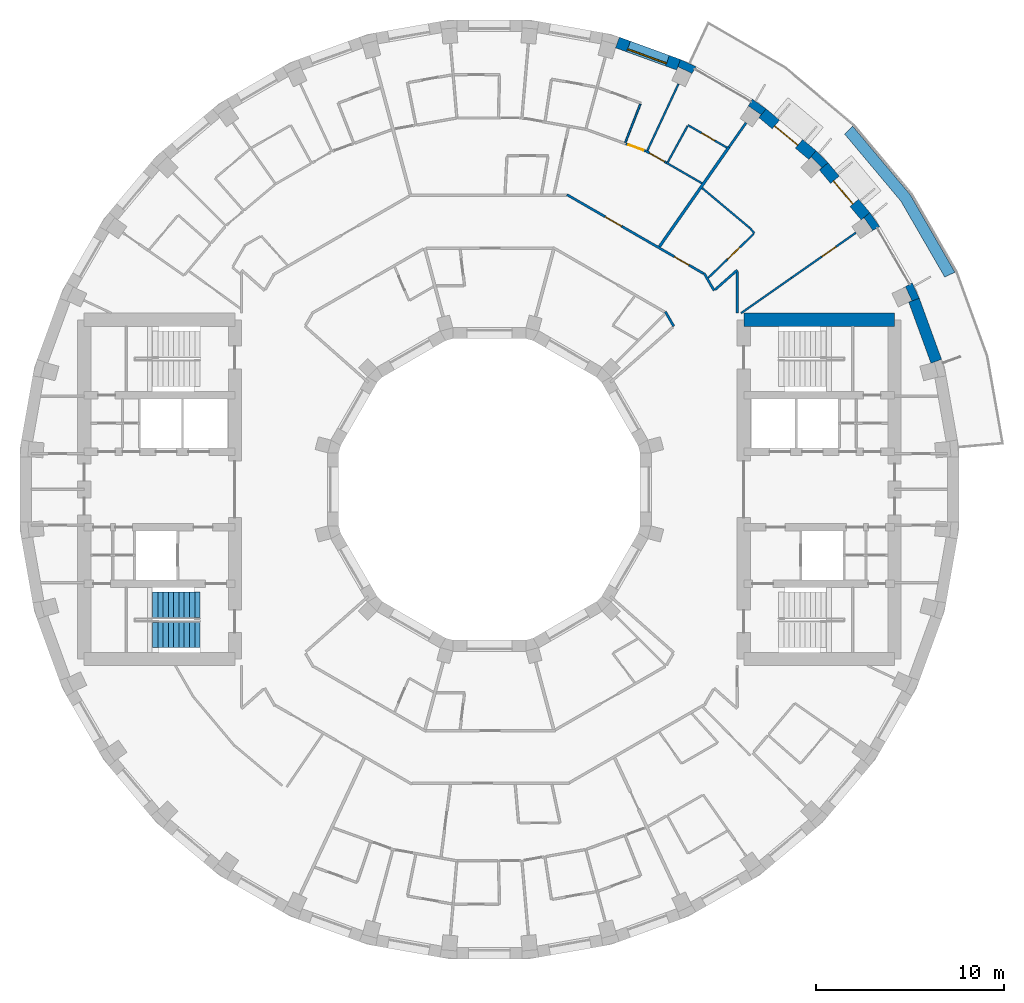
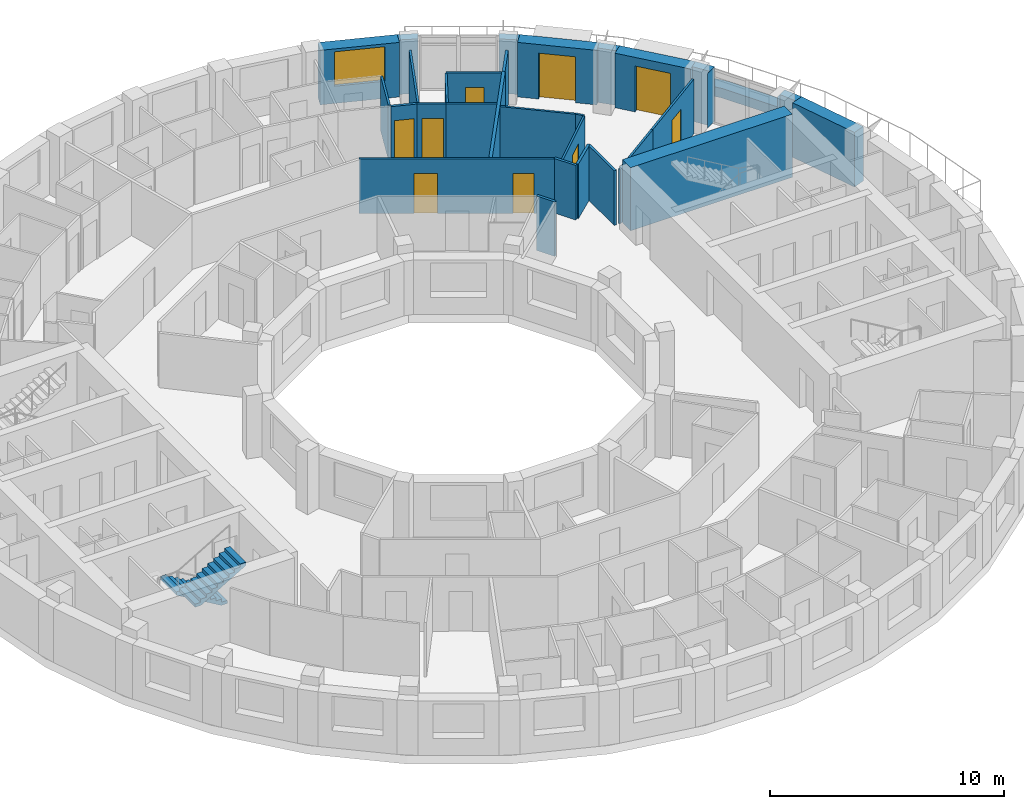
# One storey, part 13 of 15: 30 walls, 9 doors, 2 stair flights, 1 window, 10 openings, 1 element without a shape of its own.
"""IFC4 building model written with IfcOpenShell, lengths in metres."""

from ifc_helpers import new_model, si_unit, direction, frame, frame_2d, origin, place, context, subcontext, project, spatial, polyline, rectangle, outline, extrude, material, layer, layer_set, type_object, element, fill, aggregate, save


model = new_model("IFC4")

# Units and contexts
model_context = context("Model", 3, precision=1e-05, world=origin(), true_north=direction((0.0, 1.0)))
body_context = subcontext(model_context, "Body", "Model", "MODEL_VIEW")
ifc_project = project(units=[si_unit("LENGTHUNIT", "METRE"), si_unit("AREAUNIT", "SQUARE_METRE"), si_unit("VOLUMEUNIT", "CUBIC_METRE"), si_unit("PLANEANGLEUNIT", "RADIAN"), si_unit("MASSUNIT", "GRAM", prefix="KILO")], contexts=[model_context])

# Site, building, storey
site_placement = place(None, origin())
site = spatial("IfcSite", under=ifc_project, at=site_placement, CompositionType="ELEMENT")
building_placement = place(site_placement, origin())
building = spatial("IfcBuilding", under=site, at=building_placement, Name="Saqina Gate Tower", CompositionType="ELEMENT")
storey_placement = place(building_placement, frame((0.0, 0.0, 193.800048828125)))
storey = spatial("IfcBuildingStorey", under=building, at=storey_placement, Name="L55", CompositionType="ELEMENT", Elevation=193.800048828125)

# Walls
ifc_material_1 = material(Name="Brick masonry (buff)", Category="masonry")
wall_type_1 = type_object("IfcWallType", Name="BRICK PIER COPING BUFF", PredefinedType="SOLIDWALL", material=ifc_material_1)
wall_1_placement = place(storey_placement, origin())
element("IfcWall", 1, at=wall_1_placement, inside=storey, type_object=wall_type_1, Name="Pier cap L55 column 3", PredefinedType="SOLIDWALL", context=body_context, shape_type="SweptSolid", body=[
    extrude(outline(polyline([(22.4306640625, 10.958740234375), (21.9111328125, 10.65869140625), (22.080810546875, 10.73779296875), (22.4189453125, 10.0126953125), (22.249267578125, 9.93359375), (22.81298828125, 10.138916015625), (22.4306640625, 10.958740234375)])), origin(), (0.0, 0.0, 1.0), 2.849853515625),
])
wall_2_placement = place(storey_placement, origin())
element("IfcWall", 2, at=wall_2_placement, inside=storey, type_object=wall_type_1, Name="Pier cap L55 column 4", PredefinedType="SOLIDWALL", context=body_context, shape_type="SweptSolid", body=[
    extrude(outline(polyline([(20.705810546875, 13.9462890625), (20.18701171875, 14.687255859375), (19.727294921875, 14.301513671875), (19.880859375, 14.408935546875), (20.339599609375, 13.753662109375), (20.186279296875, 13.646240234375), (20.705810546875, 13.9462890625)])), origin(), (0.0, 0.0, 1.0), 2.849853515625),
])
wall_3_placement = place(storey_placement, origin())
element("IfcWall", 3, at=wall_3_placement, inside=storey, type_object=wall_type_1, Name="Pier cap L55 column 5", PredefinedType="SOLIDWALL", context=body_context, shape_type="SweptSolid", body=[
    extrude(outline(polyline([(17.329833984375, 17.969482421875), (16.944091796875, 17.510009765625), (17.07666015625, 17.642333984375), (17.642333984375, 17.07666015625), (17.510009765625, 16.944091796875), (17.969482421875, 17.329833984375), (17.329833984375, 17.969482421875)])), origin(), (0.0, 0.0, 1.0), 2.849853515625),
])
wall_4_placement = place(storey_placement, origin())
element("IfcWall", 4, at=wall_4_placement, inside=storey, type_object=wall_type_1, Name="Pier cap L55 column 6", PredefinedType="SOLIDWALL", context=body_context, shape_type="SweptSolid", body=[
    extrude(outline(polyline([(14.687255859375, 20.18701171875), (13.9462890625, 20.705810546875), (13.646240234375, 20.186279296875), (13.753662109375, 20.339599609375), (14.408935546875, 19.880859375), (14.301513671875, 19.727294921875), (14.687255859375, 20.18701171875)])), origin(), (0.0, 0.0, 1.0), 2.849853515625),
])
wall_5_placement = place(storey_placement, origin())
element("IfcWall", 5, at=wall_5_placement, inside=storey, type_object=wall_type_1, Name="Pier cap L55 column 7", PredefinedType="SOLIDWALL", context=body_context, shape_type="SweptSolid", body=[
    extrude(outline(polyline([(10.138916015625, 22.81298828125), (9.93359375, 22.249267578125), (10.0126953125, 22.4189453125), (10.73779296875, 22.080810546875), (10.65869140625, 21.9111328125), (10.958740234375, 22.4306640625), (10.138916015625, 22.81298828125)])), origin(), (0.0, 0.0, 1.0), 2.849853515625),
])

# Wall, opening, door
ifc_material_2 = material(Name="Brick masonry (buff)", Category="masonry")
ifc_layer_1 = layer(ifc_material_2, 0.60009765625)
ifc_layer_set_1 = layer_set([ifc_layer_1], Name="FW-BRICK-BUFF")
wall_type_2 = type_object("IfcWallType", Name="FW-BRICK-BUFF", PredefinedType="SOLIDWALL", material=ifc_layer_set_1)
wall_6_placement = place(storey_placement, frame((19.95703125, 14.494384765625, 0.0), z_axis=(0.0, 0.0, 1.0), x_axis=(-0.642770398358, 0.766058884809, 0.0)))
wall_6 = element("IfcWall", 6, at=wall_6_placement, inside=storey, type_object=wall_type_2, Name="Facade wall L55 facet 4", PredefinedType="SOLIDWALL", context=body_context, shape_type="SweptSolid", body=[
    extrude(rectangle(XDim=3.449462890625, YDim=0.60009765625, at=frame_2d((1.724609375, 0.0))), origin(), (0.0, 0.0, 1.0), 2.849853515625),
])
opening_1_placement = place(wall_6_placement, frame((0.9248046875, 0.0, 0.0)))
opening_1 = element("IfcOpeningElement", 7, at=opening_1_placement, cuts=wall_6, Name="Opening G16-D80", PredefinedType="OPENING", context=body_context, shape_type="SweptSolid", body=[
    extrude(rectangle(XDim=1.60009765625, YDim=2.39990234375, at=frame_2d((0.800048828125, 1.199951171875))), frame((0.0, 0.31201171875, 0.0), z_axis=(0.0, -1.0, 0.0), x_axis=(1.0, 0.0, 0.0)), (0.0, 0.0, 1.0), 0.6240234375),
])
ifc_material_3 = material(Name="Aluminium glazing", Category="aluminium")
door_type_1 = type_object("IfcDoorType", Name="GD-C", OperationType="DOUBLE_DOOR_SINGLE_SWING", PredefinedType="DOOR", material=ifc_material_3)
door_1_placement = place(opening_1_placement, frame((1.60009765625, 0.0, 0.0), z_axis=(0.0, 0.0, 1.0), x_axis=(-1.0, 0.0, 0.0)))
door_1 = element("IfcDoor", 8, at=door_1_placement, inside=storey, type_object=door_type_1, Name="Terrace door L55 facet 4", OperationType="DOUBLE_DOOR_SINGLE_SWING", OverallHeight=2.39990234375, OverallWidth=1.60009765625, PredefinedType="DOOR", context=body_context, shape_type="SweptSolid", body=[
    extrude(rectangle(XDim=1.60009765625, YDim=2.39990234375, at=frame_2d((0.800048828125, 1.199951171875))), frame((0.0, -0.0751953125, 0.0), z_axis=(0.0, -1.0, 0.0), x_axis=(1.0, 0.0, 0.0)), (0.0, 0.0, 1.0), 0.050048828125),
])
fill(opening_1, door_1)

wall_7_placement = place(storey_placement, frame((17.136962890625, 17.73974609375, 0.0), z_axis=(0.0, 0.0, 1.0), x_axis=(-0.766058884809, 0.642770398358, 0.0)))
wall_7 = element("IfcWall", 9, at=wall_7_placement, inside=storey, type_object=wall_type_2, Name="Facade wall L55 facet 5", PredefinedType="SOLIDWALL", context=body_context, shape_type="SweptSolid", body=[
    extrude(rectangle(XDim=3.449462890625, YDim=0.60009765625, at=frame_2d((1.724609375, 0.0))), origin(), (0.0, 0.0, 1.0), 2.849853515625),
])
opening_2_placement = place(wall_7_placement, frame((0.9248046875, 0.0, 0.0)))
opening_2 = element("IfcOpeningElement", 10, at=opening_2_placement, cuts=wall_7, Name="Opening G16-D81", PredefinedType="OPENING", context=body_context, shape_type="SweptSolid", body=[
    extrude(rectangle(XDim=1.60009765625, YDim=2.39990234375, at=frame_2d((0.800048828125, 1.199951171875))), frame((0.0, 0.31201171875, 0.0), z_axis=(0.0, -1.0, 0.0), x_axis=(1.0, 0.0, 0.0)), (0.0, 0.0, 1.0), 0.6240234375),
])
door_2_placement = place(opening_2_placement, frame((1.60009765625, 0.0, 0.0), z_axis=(0.0, 0.0, 1.0), x_axis=(-1.0, 0.0, 0.0)))
door_2 = element("IfcDoor", 11, at=door_2_placement, inside=storey, type_object=door_type_1, Name="Terrace door L55 facet 5", OperationType="DOUBLE_DOOR_SINGLE_SWING", OverallHeight=2.39990234375, OverallWidth=1.60009765625, PredefinedType="DOOR", context=body_context, shape_type="SweptSolid", body=[
    extrude(rectangle(XDim=1.60009765625, YDim=2.39990234375, at=frame_2d((0.800048828125, 1.199951171875))), frame((0.0, -0.0751953125, 0.0), z_axis=(0.0, -1.0, 0.0), x_axis=(1.0, 0.0, 0.0)), (0.0, 0.0, 1.0), 0.050048828125),
])
fill(opening_2, door_2)

# Wall, opening, window
wall_8_placement = place(storey_placement, frame((10.0361328125, 22.531005859375, 0.0), z_axis=(0.0, 0.0, 1.0), x_axis=(-0.93968799822, 0.342032843455, 0.0)))
wall_8 = element("IfcWall", 12, at=wall_8_placement, inside=storey, type_object=wall_type_2, Name="Facade wall L55 facet 7", PredefinedType="SOLIDWALL", context=body_context, shape_type="SweptSolid", body=[
    extrude(rectangle(XDim=3.44970703125, YDim=0.60009765625, at=frame_2d((1.724853515625, 0.0))), origin(), (0.0, 0.0, 1.0), 2.849853515625),
])
opening_3_placement = place(wall_8_placement, frame((0.625, 0.0, 0.89990234375)))
opening_3 = element("IfcOpeningElement", 13, at=opening_3_placement, cuts=wall_8, Name="Opening G16-W01", PredefinedType="OPENING", context=body_context, shape_type="SweptSolid", body=[
    extrude(rectangle(XDim=2.199951171875, YDim=1.800048828125, at=frame_2d((1.10009765625, 0.89990234375))), frame((0.0, 0.31201171875, 0.0), z_axis=(0.0, -1.0, 0.0), x_axis=(1.0, 0.0, 0.0)), (0.0, 0.0, 1.0), 0.6240234375),
])
ifc_material_4 = material(Name="Aluminium glazing", Category="aluminium")
window_type = type_object("IfcWindowType", Name="WN-C", PartitioningType="SINGLE_PANEL", PredefinedType="WINDOW", material=ifc_material_4)
window_placement = place(opening_3_placement, origin())
window = element("IfcWindow", 14, at=window_placement, inside=storey, type_object=window_type, Name="Window L55 facet 7", OverallHeight=1.800048828125, OverallWidth=2.199951171875, PartitioningType="SINGLE_PANEL", PredefinedType="WINDOW", context=body_context, shape_type="SweptSolid", body=[
    extrude(rectangle(XDim=2.199951171875, YDim=1.800048828125, at=frame_2d((1.10009765625, 0.89990234375))), frame((0.0, 0.179931640625, 0.0), z_axis=(0.0, -1.0, 0.0), x_axis=(1.0, 0.0, 0.0)), (0.0, 0.0, 1.0), 0.06005859375),
])
fill(opening_3, window)

# Walls
ifc_material_5 = material(Name="Glazed ceramic tile", Category="ceramic")
ifc_layer_2 = layer(ifc_material_5, 0.60009765625)
ifc_layer_set_2 = layer_set([ifc_layer_2], Name="FW-TILE")
wall_type_3 = type_object("IfcWallType", Name="FW-TILE", PredefinedType="SOLIDWALL", material=ifc_layer_set_2)
wall_9_placement = place(storey_placement, frame((23.7109375, 6.79443359375, 0.0), z_axis=(0.0, 0.0, 1.0), x_axis=(-0.342032843455, 0.93968799822, 0.0)))
element("IfcWall", 15, at=wall_9_placement, inside=storey, type_object=wall_type_3, Name="Facade wall L55 facet 2", PredefinedType="SOLIDWALL", context=body_context, shape_type="SweptSolid", body=[
    extrude(rectangle(XDim=3.44970703125, YDim=0.60009765625, at=frame_2d((1.724853515625, 0.0))), origin(), (0.0, 0.0, 1.0), 2.849853515625),
])
ifc_material_6 = material(Name="Gypsum board on steel studs, 100 mm", Category="steel")
ifc_layer_3 = layer(ifc_material_6, 0.10009765625)
ifc_layer_set_3 = layer_set([ifc_layer_3], Name="PARTITION 100")
wall_type_4 = type_object("IfcWallType", Name="PARTITION 100", PredefinedType="PARTITIONING", material=ifc_layer_set_3)
wall_10_placement = place(storey_placement, frame((13.8125, 13.884033203125, 0.0), z_axis=(0.0, 0.0, 1.0), x_axis=(0.641432894875, -0.767179145554, 0.0)))
element("IfcWall", 16, at=wall_10_placement, inside=storey, type_object=wall_type_4, Name="PARTITION PW3-21", PredefinedType="PARTITIONING", context=body_context, shape_type="SweptSolid", body=[
    extrude(rectangle(XDim=0.384521484375, YDim=0.10009765625, at=frame_2d((0.1923828125, 0.0))), origin(), (0.0, 0.0, 1.0), 2.849853515625),
])
wall_11_placement = place(storey_placement, frame((11.287353515625, 15.98974609375, 0.0), z_axis=(0.0, 0.0, 1.0), x_axis=(0.766251688806, -0.642540543002, 0.0)))
element("IfcWall", 17, at=wall_11_placement, inside=storey, type_object=wall_type_4, Name="PARTITION PW3-33", PredefinedType="PARTITIONING", context=body_context, shape_type="SweptSolid", body=[
    extrude(rectangle(XDim=3.287841796875, YDim=0.10009765625, at=frame_2d((1.64404296875, 0.0))), origin(), (0.0, 0.0, 1.0), 2.849853515625),
])
wall_12_placement = place(storey_placement, frame((9.392578125, 17.330078125, 0.0), z_axis=(0.0, 0.0, 1.0), x_axis=(0.866049410587, -0.499958416693, 0.0)))
element("IfcWall", 18, at=wall_12_placement, inside=storey, type_object=wall_type_4, Name="PARTITION PW3-39", PredefinedType="PARTITIONING", context=body_context, shape_type="SweptSolid", body=[
    extrude(rectangle(XDim=2.179443359375, YDim=0.10009765625, at=frame_2d((1.08984375, 0.0))), origin(), (0.0, 0.0, 1.0), 2.849853515625),
])

# Wall, opening, door
wall_13_placement = place(storey_placement, frame((10.5380859375, 19.324951171875, 0.0), z_axis=(0.0, 0.0, 1.0), x_axis=(0.866018643436, -0.500011709085, 0.0)))
wall_13 = element("IfcWall", 19, at=wall_13_placement, inside=storey, type_object=wall_type_4, Name="PARTITION PW3-40", PredefinedType="PARTITIONING", context=body_context, shape_type="SweptSolid", body=[
    extrude(rectangle(XDim=2.38671875, YDim=0.10009765625, at=frame_2d((1.193359375, 0.0))), origin(), (0.0, 0.0, 1.0), 2.849853515625),
])
opening_4_placement = place(wall_13_placement, frame((0.830810546875, 0.0, 0.0)))
opening_4 = element("IfcOpeningElement", 20, at=opening_4_placement, cuts=wall_13, Name="Opening G16-D05", PredefinedType="OPENING", context=body_context, shape_type="SweptSolid", body=[
    extrude(rectangle(XDim=0.800048828125, YDim=2.10009765625, at=frame_2d((0.39990234375, 1.050048828125))), frame((0.0, 0.06201171875, 0.0), z_axis=(0.0, -1.0, 0.0), x_axis=(1.0, 0.0, 0.0)), (0.0, 0.0, 1.0), 0.1240234375),
])
ifc_material_7 = material(Name="Timber door leaf, 800 mm", Category="wood")
door_type_2 = type_object("IfcDoorType", Name="DOOR 800 TIMBER", OperationType="SINGLE_SWING_LEFT", PredefinedType="DOOR", material=ifc_material_7)
door_3_placement = place(opening_4_placement, origin())
door_3 = element("IfcDoor", 21, at=door_3_placement, inside=storey, type_object=door_type_2, Name="DOOR G16-D05", OperationType="SINGLE_SWING_RIGHT", OverallHeight=2.10009765625, OverallWidth=0.800048828125, PredefinedType="DOOR", context=body_context, shape_type="SweptSolid", body=[
    extrude(rectangle(XDim=0.800048828125, YDim=2.10009765625, at=frame_2d((0.39990234375, 1.050048828125))), frame((0.0, 0.02490234375, 0.0), z_axis=(0.0, -1.0, 0.0), x_axis=(1.0, 0.0, 0.0)), (0.0, 0.0, 1.0), 0.050048828125),
])
fill(opening_4, door_3)

# Wall
wall_14_placement = place(storey_placement, frame((13.35302734375, 9.349853515625, 0.0), z_axis=(0.0, 0.0, 1.0), x_axis=(0.819123426134, 0.573617305143, 0.0)))
element("IfcWall", 22, at=wall_14_placement, inside=storey, type_object=wall_type_4, Name="PARTITION PW3-75", PredefinedType="PARTITIONING", context=body_context, shape_type="SweptSolid", body=[
    extrude(rectangle(XDim=3.277587890625, YDim=0.10009765625, at=frame_2d((1.638671875, 0.0))), origin(), (0.0, 0.0, 1.0), 2.849853515625),
])

# Wall, opening, door
wall_15_placement = place(storey_placement, frame((16.0380859375, 11.22998046875, 0.0), z_axis=(0.0, 0.0, 1.0), x_axis=(0.819113378634, 0.573631652668, 0.0)))
wall_15 = element("IfcWall", 23, at=wall_15_placement, inside=storey, type_object=wall_type_4, Name="PARTITION PW3-76", PredefinedType="PARTITIONING", context=body_context, shape_type="SweptSolid", body=[
    extrude(rectangle(XDim=4.1611328125, YDim=0.10009765625, at=frame_2d((2.08056640625, 0.0))), origin(), (0.0, 0.0, 1.0), 2.849853515625),
])
opening_5_placement = place(wall_15_placement, frame((1.959228515625, 0.0, 0.0)))
opening_5 = element("IfcOpeningElement", 24, at=opening_5_placement, cuts=wall_15, Name="Opening G16-D01", PredefinedType="OPENING", context=body_context, shape_type="SweptSolid", body=[
    extrude(rectangle(XDim=0.89990234375, YDim=2.10009765625, at=frame_2d((0.449951171875, 1.050048828125))), frame((0.0, 0.06201171875, 0.0), z_axis=(0.0, -1.0, 0.0), x_axis=(1.0, 0.0, 0.0)), (0.0, 0.0, 1.0), 0.1240234375),
])
ifc_material_8 = material(Name="Timber door leaf, 900 mm", Category="wood")
door_type_3 = type_object("IfcDoorType", Name="DOOR 900 TIMBER", OperationType="SINGLE_SWING_LEFT", PredefinedType="DOOR", material=ifc_material_8)
door_4_placement = place(opening_5_placement, origin())
door_4 = element("IfcDoor", 25, at=door_4_placement, inside=storey, type_object=door_type_3, Name="DOOR G16-D01", OperationType="SINGLE_SWING_RIGHT", OverallHeight=2.10009765625, OverallWidth=0.89990234375, PredefinedType="DOOR", context=body_context, shape_type="SweptSolid", body=[
    extrude(rectangle(XDim=0.89990234375, YDim=2.10009765625, at=frame_2d((0.449951171875, 1.050048828125))), frame((0.0, 0.02490234375, 0.0), z_axis=(0.0, -1.0, 0.0), x_axis=(1.0, 0.0, 0.0)), (0.0, 0.0, 1.0), 0.050048828125),
])
fill(opening_5, door_4)

wall_16_placement = place(storey_placement, frame((11.60693359375, 11.218505859375, 0.0), z_axis=(0.0, 0.0, 1.0), x_axis=(0.718956911181, 0.695054645237, 0.0)))
wall_16 = element("IfcWall", 26, at=wall_16_placement, inside=storey, type_object=wall_type_4, Name="PARTITION PW3-79", PredefinedType="PARTITIONING", context=body_context, shape_type="SweptSolid", body=[
    extrude(rectangle(XDim=3.3603515625, YDim=0.10009765625, at=frame_2d((1.68017578125, 0.0))), origin(), (0.0, 0.0, 1.0), 2.849853515625),
])
opening_6_placement = place(wall_16_placement, frame((1.424072265625, 0.0, 0.0)))
opening_6 = element("IfcOpeningElement", 27, at=opening_6_placement, cuts=wall_16, Name="Opening G16-D02", PredefinedType="OPENING", context=body_context, shape_type="SweptSolid", body=[
    extrude(rectangle(XDim=0.89990234375, YDim=2.10009765625, at=frame_2d((0.449951171875, 1.050048828125))), frame((0.0, 0.06201171875, 0.0), z_axis=(0.0, -1.0, 0.0), x_axis=(1.0, 0.0, 0.0)), (0.0, 0.0, 1.0), 0.1240234375),
])
door_5_placement = place(opening_6_placement, frame((0.89990234375, 0.0, 0.0), z_axis=(0.0, 0.0, 1.0), x_axis=(-1.0, 0.0, 0.0)))
door_5 = element("IfcDoor", 28, at=door_5_placement, inside=storey, type_object=door_type_3, Name="DOOR G16-D02", OperationType="SINGLE_SWING_RIGHT", OverallHeight=2.10009765625, OverallWidth=0.89990234375, PredefinedType="DOOR", context=body_context, shape_type="SweptSolid", body=[
    extrude(rectangle(XDim=0.89990234375, YDim=2.10009765625, at=frame_2d((0.449951171875, 1.050048828125))), frame((0.0, 0.02490234375, 0.0), z_axis=(0.0, -1.0, 0.0), x_axis=(1.0, 0.0, 0.0)), (0.0, 0.0, 1.0), 0.050048828125),
])
fill(opening_6, door_5)

# Walls
wall_17_placement = place(storey_placement, frame((9.4658203125, 17.35986328125, 0.0), z_axis=(0.0, 0.0, 1.0), x_axis=(0.479008439349, 0.877810295584, 0.0)))
element("IfcWall", 29, at=wall_17_placement, inside=storey, type_object=wall_type_4, Name="PARTITION PW3-88", PredefinedType="PARTITIONING", context=body_context, shape_type="SweptSolid", body=[
    extrude(rectangle(XDim=2.1884765625, YDim=0.10009765625, at=frame_2d((1.09423828125, 0.0))), origin(), (0.0, 0.0, 1.0), 2.849853515625),
])
wall_18_placement = place(storey_placement, frame((8.385498046875, 17.983642578125, 0.0), z_axis=(0.0, 0.0, 1.0), x_axis=(0.422693421389, 0.906272735723, 0.0)))
element("IfcWall", 30, at=wall_18_placement, inside=storey, type_object=wall_type_4, Name="PARTITION PW3-89", PredefinedType="PARTITIONING", context=body_context, shape_type="SweptSolid", body=[
    extrude(rectangle(XDim=3.8974609375, YDim=0.10009765625, at=frame_2d((1.94873046875, 0.0))), origin(), (0.0, 0.0, 1.0), 2.849853515625),
])
wall_19_placement = place(storey_placement, frame((7.2138671875, 18.41015625, 0.0), z_axis=(0.0, 0.0, 1.0), x_axis=(0.364647558209, 0.931145616052, 0.0)))
element("IfcWall", 31, at=wall_19_placement, inside=storey, type_object=wall_type_4, Name="PARTITION PW3-91", PredefinedType="PARTITIONING", context=body_context, shape_type="SweptSolid", body=[
    extrude(rectangle(XDim=2.18798828125, YDim=0.10009765625, at=frame_2d((1.093994140625, 0.0))), origin(), (0.0, 0.0, 1.0), 2.849853515625),
])
ifc_material_9 = material(Name="Gypsum board on steel studs, 125 mm, fire rated", Category="steel")
ifc_layer_4 = layer(ifc_material_9, 0.125)
ifc_layer_set_4 = layer_set([ifc_layer_4], Name="PARTITION EI 30 125")
wall_type_5 = type_object("IfcWallType", Name="PARTITION EI 30 125", PredefinedType="PARTITIONING", material=ifc_layer_set_4)
wall_20_placement = place(storey_placement, frame((9.333984375, 9.432373046875, 0.0), z_axis=(0.0, 0.0, 1.0), x_axis=(0.500264001326, -0.865872928886, 0.0)))
element("IfcWall", 32, at=wall_20_placement, inside=storey, type_object=wall_type_5, Name="PARTITION PW1-03", PredefinedType="PARTITIONING", context=body_context, shape_type="SweptSolid", body=[
    extrude(rectangle(XDim=0.8974609375, YDim=0.125, at=frame_2d((0.44873046875, 0.0))), origin(), (0.0, 0.0, 1.0), 2.849853515625),
])
wall_21_placement = place(storey_placement, frame((11.3837890625, 11.482421875, 0.0), z_axis=(0.0, 0.0, 1.0), x_axis=(0.500304011038, -0.865849811769, 0.0)))
element("IfcWall", 33, at=wall_21_placement, inside=storey, type_object=wall_type_5, Name="PARTITION PW1-04", PredefinedType="PARTITIONING", context=body_context, shape_type="SweptSolid", body=[
    extrude(rectangle(XDim=1.077880859375, YDim=0.125, at=frame_2d((0.5390625, 0.0))), origin(), (0.0, 0.0, 1.0), 2.849853515625),
])

# Wall, openings, doors
wall_22_placement = place(storey_placement, frame((4.117431640625, 15.635986328125, 0.0), z_axis=(0.0, 0.0, 1.0), x_axis=(0.866032091518, -0.499988416326, 0.0)))
wall_22 = element("IfcWall", 34, at=wall_22_placement, inside=storey, type_object=wall_type_5, Name="PARTITION PW1-16", PredefinedType="PARTITIONING", context=body_context, shape_type="SweptSolid", body=[
    extrude(rectangle(XDim=8.369873046875, YDim=0.125, at=frame_2d((4.18505859375, 0.0))), origin(), (0.0, 0.0, 1.0), 2.849853515625),
])
opening_7_placement = place(wall_22_placement, frame((6.574462890625, 0.0, 0.0)))
opening_7 = element("IfcOpeningElement", 35, at=opening_7_placement, cuts=wall_22, Name="Opening G16-D03", PredefinedType="OPENING", context=body_context, shape_type="SweptSolid", body=[
    extrude(rectangle(XDim=0.89990234375, YDim=2.10009765625, at=frame_2d((0.449951171875, 1.050048828125))), frame((0.0, 0.074462890625, 0.0), z_axis=(0.0, -1.0, 0.0), x_axis=(1.0, 0.0, 0.0)), (0.0, 0.0, 1.0), 0.14892578125),
])
opening_8_placement = place(wall_22_placement, frame((2.344482421875, 0.0, 0.0)))
opening_8 = element("IfcOpeningElement", 36, at=opening_8_placement, cuts=wall_22, Name="Opening G16-D08", PredefinedType="OPENING", context=body_context, shape_type="SweptSolid", body=[
    extrude(rectangle(XDim=1.0, YDim=2.10009765625, at=frame_2d((0.5, 1.050048828125))), frame((0.0, 0.074462890625, 0.0), z_axis=(0.0, -1.0, 0.0), x_axis=(1.0, 0.0, 0.0)), (0.0, 0.0, 1.0), 0.14892578125),
])
ifc_material_10 = material(Name="Fire door leaf EI 30, 1000 mm")
door_type_4 = type_object("IfcDoorType", Name="DOOR 1000 EI 30", OperationType="SINGLE_SWING_LEFT", PredefinedType="DOOR", material=ifc_material_10)
door_6_placement = place(opening_8_placement, origin())
door_6 = element("IfcDoor", 37, at=door_6_placement, inside=storey, type_object=door_type_4, Name="DOOR G16-D08", OperationType="SINGLE_SWING_LEFT", OverallHeight=2.10009765625, OverallWidth=1.0, PredefinedType="DOOR", context=body_context, shape_type="SweptSolid", body=[
    extrude(rectangle(XDim=1.0, YDim=2.10009765625, at=frame_2d((0.5, 1.050048828125))), frame((0.0, 0.02490234375, 0.0), z_axis=(0.0, -1.0, 0.0), x_axis=(1.0, 0.0, 0.0)), (0.0, 0.0, 1.0), 0.050048828125),
])
fill(opening_8, door_6)
ifc_material_11 = material(Name="Fire door leaf EI 30, 900 mm")
door_type_5 = type_object("IfcDoorType", Name="DOOR 900 EI 30", OperationType="SINGLE_SWING_LEFT", PredefinedType="DOOR", material=ifc_material_11)
door_7_placement = place(opening_7_placement, origin())
door_7 = element("IfcDoor", 38, at=door_7_placement, inside=storey, type_object=door_type_5, Name="DOOR G16-D03", OperationType="SINGLE_SWING_RIGHT", OverallHeight=2.10009765625, OverallWidth=0.89990234375, PredefinedType="DOOR", context=body_context, shape_type="SweptSolid", body=[
    extrude(rectangle(XDim=0.89990234375, YDim=2.10009765625, at=frame_2d((0.449951171875, 1.050048828125))), frame((0.0, 0.02490234375, 0.0), z_axis=(0.0, -1.0, 0.0), x_axis=(1.0, 0.0, 0.0)), (0.0, 0.0, 1.0), 0.050048828125),
])
fill(opening_7, door_7)

# Wall, opening, door
wall_23_placement = place(storey_placement, frame((8.303955078125, 17.958740234375, 0.0), z_axis=(0.0, 0.0, 1.0), x_axis=(0.866023907196, -0.500002592159, 0.0)))
wall_23 = element("IfcWall", 39, at=wall_23_placement, inside=storey, type_object=wall_type_5, Name="PARTITION PW1-17", PredefinedType="PARTITIONING", context=body_context, shape_type="SweptSolid", body=[
    extrude(rectangle(XDim=1.25732421875, YDim=0.125, at=frame_2d((0.628662109375, 0.0))), origin(), (0.0, 0.0, 1.0), 2.849853515625),
])
opening_9_placement = place(wall_23_placement, frame((0.2353515625, 0.0, 0.0)))
opening_9 = element("IfcOpeningElement", 40, at=opening_9_placement, cuts=wall_23, Name="Opening G16-D07", PredefinedType="OPENING", context=body_context, shape_type="SweptSolid", body=[
    extrude(rectangle(XDim=0.89990234375, YDim=2.10009765625, at=frame_2d((0.449951171875, 1.050048828125))), frame((0.0, 0.074462890625, 0.0), z_axis=(0.0, -1.0, 0.0), x_axis=(1.0, 0.0, 0.0)), (0.0, 0.0, 1.0), 0.14892578125),
])
door_8_placement = place(opening_9_placement, frame((0.89990234375, 0.0, 0.0), z_axis=(0.0, 0.0, 1.0), x_axis=(-1.0, 0.0, 0.0)))
door_8 = element("IfcDoor", 41, at=door_8_placement, inside=storey, type_object=door_type_5, Name="DOOR G16-D07", OperationType="SINGLE_SWING_RIGHT", OverallHeight=2.10009765625, OverallWidth=0.89990234375, PredefinedType="DOOR", context=body_context, shape_type="SweptSolid", body=[
    extrude(rectangle(XDim=0.89990234375, YDim=2.10009765625, at=frame_2d((0.449951171875, 1.050048828125))), frame((0.0, 0.02490234375, 0.0), z_axis=(0.0, -1.0, 0.0), x_axis=(1.0, 0.0, 0.0)), (0.0, 0.0, 1.0), 0.050048828125),
])
fill(opening_9, door_8)

wall_24_placement = place(storey_placement, frame((7.238037109375, 18.3349609375, 0.0), z_axis=(0.0, 0.0, 1.0), x_axis=(0.939736656196, -0.341899132788, 0.0)))
wall_24 = element("IfcWall", 42, at=wall_24_placement, inside=storey, type_object=wall_type_5, Name="PARTITION PW1-19", PredefinedType="PARTITIONING", context=body_context, shape_type="SweptSolid", body=[
    extrude(rectangle(XDim=1.13037109375, YDim=0.125, at=frame_2d((0.565185546875, 0.0))), origin(), (0.0, 0.0, 1.0), 2.849853515625),
])
opening_10_placement = place(wall_24_placement, frame((0.146484375, 0.0, 0.0)))
opening_10 = element("IfcOpeningElement", 43, at=opening_10_placement, cuts=wall_24, Name="Opening G16-D09", PredefinedType="OPENING", context=body_context, shape_type="SweptSolid", body=[
    extrude(rectangle(XDim=0.85009765625, YDim=2.10009765625, at=frame_2d((0.425048828125, 1.050048828125))), frame((0.0, 0.074462890625, 0.0), z_axis=(0.0, -1.0, 0.0), x_axis=(1.0, 0.0, 0.0)), (0.0, 0.0, 1.0), 0.14892578125),
])
ifc_material_12 = material(Name="Fire door leaf EI 30, 850 mm")
door_type_6 = type_object("IfcDoorType", Name="DOOR 850 EI 30", OperationType="SINGLE_SWING_LEFT", PredefinedType="DOOR", material=ifc_material_12)
door_9_placement = place(opening_10_placement, frame((0.85009765625, 0.0, 0.0), z_axis=(0.0, 0.0, 1.0), x_axis=(-1.0, 0.0, 0.0)))
door_9 = element("IfcDoor", 44, at=door_9_placement, inside=storey, type_object=door_type_6, Name="DOOR G16-D09", OperationType="SINGLE_SWING_LEFT", OverallHeight=2.10009765625, OverallWidth=0.85009765625, PredefinedType="DOOR", context=body_context, shape_type="SweptSolid", body=[
    extrude(rectangle(XDim=0.85009765625, YDim=2.10009765625, at=frame_2d((0.425048828125, 1.050048828125))), frame((0.0, 0.02490234375, 0.0), z_axis=(0.0, -1.0, 0.0), x_axis=(1.0, 0.0, 0.0)), (0.0, 0.0, 1.0), 0.050048828125),
])
fill(opening_10, door_9)

# Walls
wall_25_placement = place(storey_placement, frame((11.969970703125, 10.590087890625, 0.0), z_axis=(0.0, 0.0, 1.0), x_axis=(0.748946277056, 0.662630722261, 0.0)))
element("IfcWall", 45, at=wall_25_placement, inside=storey, type_object=wall_type_5, Name="PARTITION PW1-42", PredefinedType="PARTITIONING", context=body_context, shape_type="SweptSolid", body=[
    extrude(rectangle(XDim=1.575439453125, YDim=0.125, at=frame_2d((0.78759765625, 0.0))), origin(), (0.0, 0.0, 1.0), 2.849853515625),
])
wall_26_placement = place(storey_placement, frame((12.712890625, 18.155517578125, 0.0), z_axis=(0.0, 0.0, 1.0), x_axis=(0.573607882282, 0.819130024712, 0.0)))
element("IfcWall", 46, at=wall_26_placement, inside=storey, type_object=wall_type_5, Name="PARTITION PW1-45", PredefinedType="PARTITIONING", context=body_context, shape_type="SweptSolid", body=[
    extrude(rectangle(XDim=1.576171875, YDim=0.125, at=frame_2d((0.7880859375, 0.0))), origin(), (0.0, 0.0, 1.0), 2.849853515625),
])
wall_27_placement = place(storey_placement, frame((13.14990234375, 9.35009765625, 0.0), z_axis=(0.0, 0.0, 1.0), x_axis=(0.0, 1.0, 0.0)))
element("IfcWall", 47, at=wall_27_placement, inside=storey, type_object=wall_type_5, Name="PARTITION PW1-51", PredefinedType="PARTITIONING", context=body_context, shape_type="SweptSolid", body=[
    extrude(rectangle(XDim=2.221435546875, YDim=0.125, at=frame_2d((1.11083984375, 0.0))), origin(), (0.0, 0.0, 1.0), 2.849853515625),
])
ifc_material_13 = material(Name="Gypsum board on steel studs, 150 mm, fire rated", Category="steel")
ifc_layer_5 = layer(ifc_material_13, 0.14990234375)
ifc_layer_set_5 = layer_set([ifc_layer_5], Name="PARTITION EI 60 150")
wall_type_6 = type_object("IfcWallType", Name="PARTITION EI 60 150", PredefinedType="PARTITIONING", material=ifc_layer_set_5)
wall_28_placement = place(storey_placement, frame((9.019775390625, 12.8779296875, 0.0), z_axis=(0.0, 0.0, 1.0), x_axis=(0.573070545271, 0.819506040334, 0.0)))
element("IfcWall", 48, at=wall_28_placement, inside=storey, type_object=wall_type_6, Name="PARTITION PW2-05", PredefinedType="PARTITIONING", context=body_context, shape_type="SweptSolid", body=[
    extrude(rectangle(XDim=6.44140625, YDim=0.14990234375, at=frame_2d((3.220703125, 0.0))), origin(), (0.0, 0.0, 1.0), 2.849853515625),
])
ifc_material_14 = material(Name="Brick masonry (red)", Category="masonry")
ifc_layer_6 = layer(ifc_material_14, 0.60009765625)
ifc_layer_set_6 = layer_set([ifc_layer_6], Name="PL-PLANTER")
wall_type_7 = type_object("IfcWallType", Name="PL-PLANTER", PredefinedType="PARAPET", material=ifc_layer_set_6)
wall_29_placement = place(storey_placement, origin())
element("IfcWall", 49, at=wall_29_placement, inside=storey, type_object=wall_type_7, Name="Planter L55", PredefinedType="PARAPET", context=body_context, shape_type="SweptSolid", body=[
    extrude(outline(polyline([(24.70458984375, 11.52001953125), (22.328857421875, 15.635009765625), (19.274658203125, 19.274658203125), (18.848876953125, 18.848876953125), (21.835693359375, 15.289306640625), (24.15869140625, 11.265380859375), (24.70458984375, 11.52001953125)])), origin(), (0.0, 0.0, 1.0), 0.5),
])
ifc_material_15 = material(Name="Concrete C60/75", Category="concrete")
ifc_layer_7 = layer(ifc_material_15, 0.699951171875)
ifc_layer_set_7 = layer_set([ifc_layer_7], Name="Concrete C60/75")
wall_type_8 = type_object("IfcWallType", Name="STR-CORE WALL-C-O", PredefinedType="SHEAR", material=ifc_layer_set_7)
wall_30_placement = place(storey_placement, frame((13.5, 9.0, 0.0), z_axis=(0.0, 0.0, 1.0), x_axis=(1.0, 0.0, 0.0)))
element("IfcWall", 50, at=wall_30_placement, inside=storey, type_object=wall_type_8, Name="CORE WALL L55 E-NE", PredefinedType="SHEAR", context=body_context, shape_type="SweptSolid", body=[
    extrude(rectangle(XDim=8.0, YDim=0.699951171875, at=frame_2d((4.0, 0.0))), origin(), (0.0, 0.0, 1.0), 3.300048828125),
])

# Stair, stair flights
ifc_material_16 = material(Name="Concrete C40/50", Category="concrete")
stair_type = type_object("IfcStairType", Name="EXIT STAIR", PredefinedType="HALF_TURN_STAIR", material=ifc_material_16)
stair_placement = place(storey_placement, origin())
stair = element("IfcStair", 51, at=stair_placement, inside=storey, type_object=stair_type, Name="EXIT STAIR 4", PredefinedType="HALF_TURN_STAIR")
ifc_material_17 = material(Name="Concrete C40/50", Category="concrete")
stair_flight_type = type_object("IfcStairFlightType", Name="EXIT STAIR FLIGHT", PredefinedType="STRAIGHT", material=ifc_material_17)
stair_flight_1_placement = place(storey_placement, frame((-15.35009765625, -6.125, 0.0), z_axis=(0.0, 0.0, 1.0), x_axis=(-1.0, 0.0, 0.0)))
stair_flight_1 = element("IfcStairFlight", 52, at=stair_flight_1_placement, type_object=stair_flight_type, Name="EXIT STAIR 4 FLIGHT 1", NumberOfRisers=10, NumberOfTreads=9, PredefinedType="STRAIGHT", RiserHeight=0.165, TreadLength=0.28, context=body_context, shape_type="SweptSolid", body=[
    extrude(outline(polyline([(0.0, 0.0), (0.0, 0.1650390625), (0.280029296875, 0.1650390625), (0.280029296875, 0.330078125), (0.56005859375, 0.330078125), (0.56005859375, 0.4951171875), (0.840087890625, 0.4951171875), (0.840087890625, 0.659912109375), (1.1201171875, 0.659912109375), (1.1201171875, 0.824951171875), (1.39990234375, 0.824951171875), (1.39990234375, 0.989990234375), (1.679931640625, 0.989990234375), (1.679931640625, 1.155029296875), (1.9599609375, 1.155029296875), (1.9599609375, 1.320068359375), (2.239990234375, 1.320068359375), (2.239990234375, 1.485107421875), (2.52001953125, 1.485107421875), (2.52001953125, 1.64990234375), (2.52001953125, 1.31103515625), (0.295166015625, 0.0), (0.0, 0.0)])), frame((0.0, 0.675048828125, 0.0), z_axis=(0.0, -1.0, 0.0), x_axis=(1.0, 0.0, 0.0)), (0.0, 0.0, 1.0), 1.35009765625),
])
stair_flight_2_placement = place(storey_placement, frame((-17.8701171875, -7.72509765625, 1.64990234375), z_axis=(0.0, 0.0, 1.0), x_axis=(1.0, 0.0, 0.0)))
stair_flight_2 = element("IfcStairFlight", 53, at=stair_flight_2_placement, type_object=stair_flight_type, Name="EXIT STAIR 4 FLIGHT 2", NumberOfRisers=10, NumberOfTreads=9, PredefinedType="STRAIGHT", RiserHeight=0.165, TreadLength=0.28, context=body_context, shape_type="SweptSolid", body=[
    extrude(outline(polyline([(0.0, 0.0), (0.0, 0.1650390625), (0.280029296875, 0.1650390625), (0.280029296875, 0.330078125), (0.56005859375, 0.330078125), (0.56005859375, 0.4951171875), (0.840087890625, 0.4951171875), (0.840087890625, 0.659912109375), (1.1201171875, 0.659912109375), (1.1201171875, 0.824951171875), (1.39990234375, 0.824951171875), (1.39990234375, 0.989990234375), (1.679931640625, 0.989990234375), (1.679931640625, 1.155029296875), (1.9599609375, 1.155029296875), (1.9599609375, 1.320068359375), (2.239990234375, 1.320068359375), (2.239990234375, 1.485107421875), (2.52001953125, 1.485107421875), (2.52001953125, 1.64990234375), (2.52001953125, 1.31103515625), (0.295166015625, 0.0), (0.0, 0.0)])), frame((0.0, 0.675048828125, 0.0), z_axis=(0.0, -1.0, 0.0), x_axis=(1.0, 0.0, 0.0)), (0.0, 0.0, 1.0), 1.35009765625),
])
aggregate(stair, [stair_flight_1, stair_flight_2])

save(model, "model.ifc")
